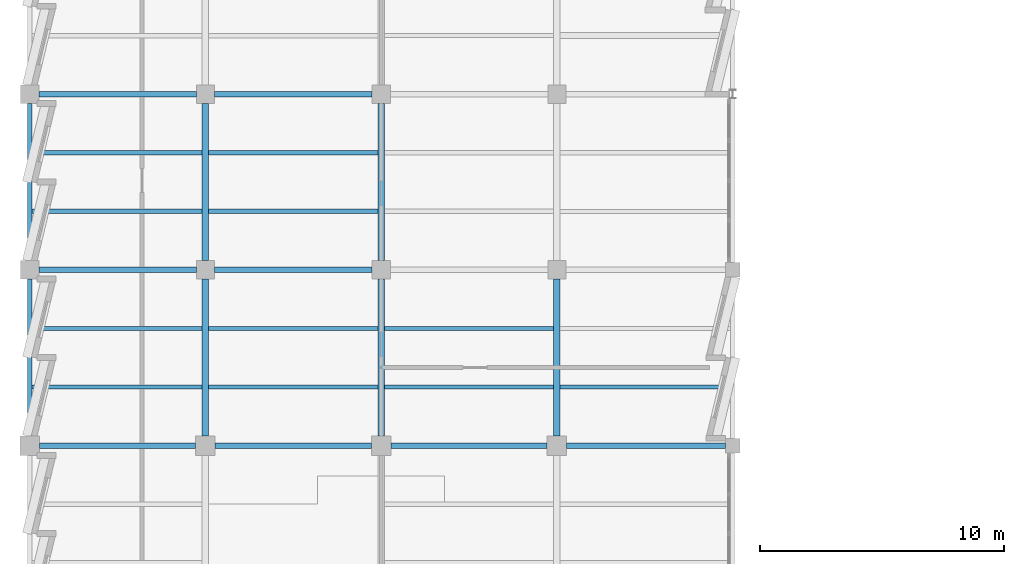
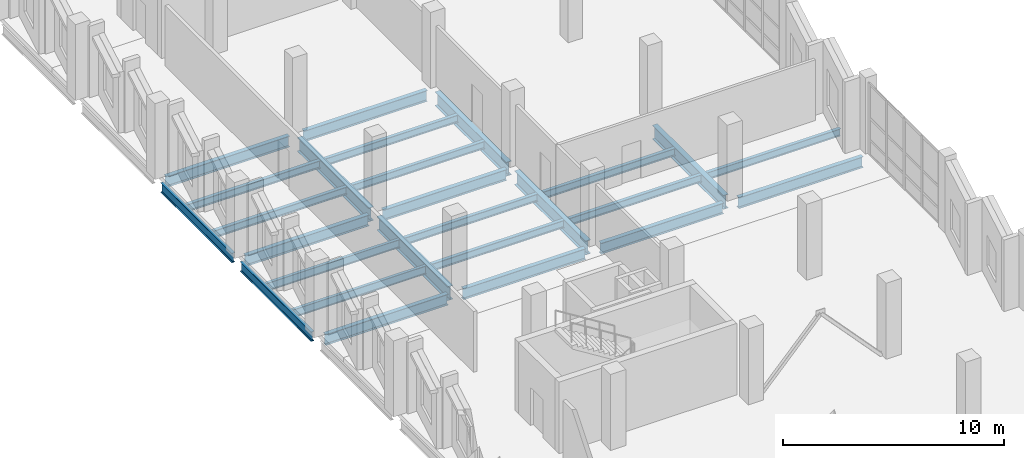
# One storey, part 35 of 94: 26 beams.
"""IFC4 building model written with IfcOpenShell, lengths in metres."""

from ifc_helpers import new_model, si_unit, direction, frame, origin, origin_2d, place, context, subcontext, project, spatial, i_section, extrude, material, material_profile, profile_set, type_object, element, save


model = new_model("IFC4")

# Units and contexts
model_context = context("Model", 3, precision=1e-05, world=origin(), true_north=direction((0.0, 1.0)))
body_context = subcontext(model_context, "Body", "Model", "MODEL_VIEW")
ifc_project = project(units=[si_unit("LENGTHUNIT", "METRE"), si_unit("AREAUNIT", "SQUARE_METRE"), si_unit("VOLUMEUNIT", "CUBIC_METRE"), si_unit("PLANEANGLEUNIT", "RADIAN"), si_unit("MASSUNIT", "GRAM", prefix="KILO")], contexts=[model_context])

# Site, building, storey
site_placement = place(None, origin())
site = spatial("IfcSite", under=ifc_project, at=site_placement, CompositionType="ELEMENT")
building_placement = place(site_placement, origin())
building = spatial("IfcBuilding", under=site, at=building_placement, Name="Kalmorath City Hall", CompositionType="ELEMENT")
storey_placement = place(building_placement, frame((0.0, 0.0, 14.699951171875)))
storey = spatial("IfcBuildingStorey", under=building, at=storey_placement, Name="L03", CompositionType="ELEMENT", Elevation=14.699951171875)

# Beams
ifc_material_1 = material(Name="Steel ASTM A992 Grade 50", Category="steel")
ifc_material_profile_1 = material_profile(ifc_material_1, i_section(OverallWidth=0.177001953125, OverallDepth=0.403076171875, WebThickness=0.007568359375, FlangeThickness=0.010986328125, FilletRadius=0.012939453125, at=origin_2d()), Name="W16X36")
ifc_profile_set_1 = profile_set([ifc_material_profile_1], Name="Steel ASTM A992 Grade 50")
beam_type_1 = type_object("IfcBeamType", Name="Steel composite joist W16X36", PredefinedType="JOIST", material=ifc_profile_set_1)
beam_1_placement = place(storey_placement, frame((21.73388671875, 67.199951171875, -0.46533203125), z_axis=(1.0, 0.0, 0.0), x_axis=(0.0, 1.0, 0.0)))
element("IfcBeam", 1, at=beam_1_placement, inside=storey, type_object=beam_type_1, Name="L03 joist SJ7 4.10.1", PredefinedType="JOIST", context=body_context, shape_type="SweptSolid", body=[
    extrude(i_section(OverallWidth=0.177001953125, OverallDepth=0.403076171875, WebThickness=0.007568359375, FlangeThickness=0.010986328125, FilletRadius=0.012939453125, at=origin_2d()), origin(), (0.0, 0.0, 1.0), 6.983642578125),
])
ifc_material_2 = material(Name="Steel ASTM A992 Grade 50", Category="steel")
ifc_material_profile_2 = material_profile(ifc_material_2, i_section(OverallWidth=0.178955078125, OverallDepth=0.409912109375, WebThickness=0.0087890625, FlangeThickness=0.014404296875, FilletRadius=0.012939453125, at=origin_2d()), Name="W16X45")
ifc_profile_set_2 = profile_set([ifc_material_profile_2], Name="Steel ASTM A992 Grade 50")
beam_type_2 = type_object("IfcBeamType", Name="Steel composite joist W16X45", PredefinedType="JOIST", material=ifc_profile_set_2)
for number, where, z_axis, x_axis, name in (
    (2, (7.333984375, 74.39990234375, -0.468994140625), (1.0, 0.0, 0.0), (0.0, 1.0, 0.0), "L03 joist SJ6 2.11.1"),
    (3, (7.333984375, 76.800048828125, -0.468994140625), (1.0, 0.0, 0.0), (0.0, 1.0, 0.0), "L03 joist SJ6 2.11.2"),
    (4, (14.533935546875, 67.199951171875, -0.468994140625), (1.0, 0.0, 0.0), (0.0, 1.0, 0.0), "L03 joist SJ6 3.10.1"),
    (5, (14.533935546875, 69.60009765625, -0.468994140625), (1.0, 0.0, 0.0), (0.0, 1.0, 0.0), "L03 joist SJ6 3.10.2"),
):
    element("IfcBeam", number, at=place(storey_placement, frame(where, z_axis=z_axis, x_axis=x_axis)), inside=storey, type_object=beam_type_2, Name=name, PredefinedType="JOIST", context=body_context, shape_type="SweptSolid", body=[
        extrude(i_section(OverallWidth=0.178955078125, OverallDepth=0.409912109375, WebThickness=0.0087890625, FlangeThickness=0.014404296875, FilletRadius=0.012939453125, at=origin_2d()), origin(), (0.0, 0.0, 1.0), 6.93212890625),
    ])
ifc_material_3 = material(Name="Steel ASTM A992 Grade 50", Category="steel")
ifc_material_profile_3 = material_profile(ifc_material_3, i_section(OverallWidth=0.180908203125, OverallDepth=0.4169921875, WebThickness=0.010986328125, FlangeThickness=0.018310546875, FilletRadius=0.012939453125, at=origin_2d()), Name="W16X57")
ifc_profile_set_3 = profile_set([ifc_material_profile_3], Name="Steel ASTM A992 Grade 50")
beam_type_3 = type_object("IfcBeamType", Name="Steel composite joist W16X57", PredefinedType="JOIST", material=ifc_profile_set_3)
for number, where, z_axis, x_axis, name in (
    (6, (0.08251953125, 74.39990234375, -0.472412109375), (1.0, 0.0, 0.0), (0.0, 1.0, 0.0), "L03 joist SJ5 1.11.1"),
    (7, (0.08251953125, 76.800048828125, -0.472412109375), (1.0, 0.0, 0.0), (0.0, 1.0, 0.0), "L03 joist SJ5 1.11.2"),
):
    element("IfcBeam", number, at=place(storey_placement, frame(where, z_axis=z_axis, x_axis=x_axis)), inside=storey, type_object=beam_type_3, Name=name, PredefinedType="JOIST", context=body_context, shape_type="SweptSolid", body=[
        extrude(i_section(OverallWidth=0.180908203125, OverallDepth=0.4169921875, WebThickness=0.010986328125, FlangeThickness=0.018310546875, FilletRadius=0.012939453125, at=origin_2d()), origin(), (0.0, 0.0, 1.0), 6.9833984375),
    ])
for number, where, z_axis, x_axis, name in (
    (8, (7.333984375, 67.199951171875, -0.472412109375), (1.0, 0.0, 0.0), (0.0, 1.0, 0.0), "L03 joist SJ5 2.10.1"),
    (9, (7.333984375, 69.60009765625, -0.472412109375), (1.0, 0.0, 0.0), (0.0, 1.0, 0.0), "L03 joist SJ5 2.10.2"),
):
    element("IfcBeam", number, at=place(storey_placement, frame(where, z_axis=z_axis, x_axis=x_axis)), inside=storey, type_object=beam_type_3, Name=name, PredefinedType="JOIST", context=body_context, shape_type="SweptSolid", body=[
        extrude(i_section(OverallWidth=0.180908203125, OverallDepth=0.4169921875, WebThickness=0.010986328125, FlangeThickness=0.018310546875, FilletRadius=0.012939453125, at=origin_2d()), origin(), (0.0, 0.0, 1.0), 6.93212890625),
    ])
ifc_material_4 = material(Name="Steel ASTM A992 Grade 50", Category="steel")
ifc_material_profile_4 = material_profile(ifc_material_4, i_section(OverallWidth=0.153076171875, OverallDepth=0.455078125, WebThickness=0.008056640625, FlangeThickness=0.01318359375, FilletRadius=0.013916015625, at=origin_2d()), Name="W18X40")
ifc_profile_set_4 = profile_set([ifc_material_profile_4], Name="Steel ASTM A992 Grade 50")
beam_type_4 = type_object("IfcBeamType", Name="Steel composite joist W18X40", PredefinedType="JOIST", material=ifc_profile_set_4)
for number, where, z_axis, x_axis, name in (
    (10, (0.08251953125, 67.199951171875, -0.491455078125), (1.0, 0.0, 0.0), (0.0, 1.0, 0.0), "L03 joist SJ4 1.10.1"),
    (11, (0.08251953125, 69.60009765625, -0.491455078125), (1.0, 0.0, 0.0), (0.0, 1.0, 0.0), "L03 joist SJ4 1.10.2"),
):
    element("IfcBeam", number, at=place(storey_placement, frame(where, z_axis=z_axis, x_axis=x_axis)), inside=storey, type_object=beam_type_4, Name=name, PredefinedType="JOIST", context=body_context, shape_type="SweptSolid", body=[
        extrude(i_section(OverallWidth=0.153076171875, OverallDepth=0.455078125, WebThickness=0.008056640625, FlangeThickness=0.01318359375, FilletRadius=0.013916015625, at=origin_2d()), origin(), (0.0, 0.0, 1.0), 6.9833984375),
    ])
ifc_material_5 = material(Name="Steel ASTM A992 Grade 50", Category="steel")
ifc_material_profile_5 = material_profile(ifc_material_5, i_section(OverallWidth=0.22802734375, OverallDepth=0.60302734375, WebThickness=0.010498046875, FlangeThickness=0.014892578125, FilletRadius=0.01611328125, at=origin_2d()), Name="W24X68")
ifc_profile_set_5 = profile_set([ifc_material_profile_5], Name="Steel ASTM A992 Grade 50")
beam_type_5 = type_object("IfcBeamType", Name="Steel floor girder W24X68", PredefinedType="BEAM", material=ifc_profile_set_5)
beam_2_placement = place(storey_placement, frame((0.39990234375, 64.800048828125, -0.5654296875), z_axis=(1.0, 0.0, 0.0), x_axis=(0.0, 1.0, 0.0)))
element("IfcBeam", 12, at=beam_2_placement, inside=storey, type_object=beam_type_5, Name="L03 girder SG9 X1-2/10", PredefinedType="BEAM", context=body_context, shape_type="SweptSolid", body=[
    extrude(i_section(OverallWidth=0.22802734375, OverallDepth=0.60302734375, WebThickness=0.010498046875, FlangeThickness=0.014892578125, FilletRadius=0.01611328125, at=origin_2d()), origin(), (0.0, 0.0, 1.0), 6.400146484375),
])
for number, where, z_axis, x_axis, name in (
    (13, (7.60009765625, 64.800048828125, -0.5654296875), (1.0, 0.0, 0.0), (0.0, 1.0, 0.0), "L03 girder SG9 X2-3/10"),
    (14, (14.800048828125, 64.800048828125, -0.5654296875), (1.0, 0.0, 0.0), (0.0, 1.0, 0.0), "L03 girder SG9 X3-4/10"),
):
    element("IfcBeam", number, at=place(storey_placement, frame(where, z_axis=z_axis, x_axis=x_axis)), inside=storey, type_object=beam_type_5, Name=name, PredefinedType="BEAM", context=body_context, shape_type="SweptSolid", body=[
        extrude(i_section(OverallWidth=0.22802734375, OverallDepth=0.60302734375, WebThickness=0.010498046875, FlangeThickness=0.014892578125, FilletRadius=0.01611328125, at=origin_2d()), origin(), (0.0, 0.0, 1.0), 6.39990234375),
    ])
beam_3_placement = place(storey_placement, frame((22.0, 64.800048828125, -0.5654296875), z_axis=(1.0, 0.0, 0.0), x_axis=(0.0, 1.0, 0.0)))
element("IfcBeam", 15, at=beam_3_placement, inside=storey, type_object=beam_type_5, Name="L03 girder SG9 X4-5/10", PredefinedType="BEAM", context=body_context, shape_type="SweptSolid", body=[
    extrude(i_section(OverallWidth=0.22802734375, OverallDepth=0.60302734375, WebThickness=0.010498046875, FlangeThickness=0.014892578125, FilletRadius=0.01611328125, at=origin_2d()), origin(), (0.0, 0.0, 1.0), 6.5),
])
for number, where, z_axis, x_axis, name in (
    (16, (0.375, 72.0, -0.5654296875), (1.0, 0.0, 0.0), (0.0, 1.0, 0.0), "L03 girder SG9 X1-2/11"),
    (17, (7.574951171875, 72.0, -0.5654296875), (1.0, 0.0, 0.0), (0.0, 1.0, 0.0), "L03 girder SG9 X2-3/11"),
    (18, (0.375, 79.199951171875, -0.5654296875), (1.0, 0.0, 0.0), (0.0, 1.0, 0.0), "L03 girder SG9 X1-2/12"),
    (19, (7.574951171875, 79.199951171875, -0.5654296875), (1.0, 0.0, 0.0), (0.0, 1.0, 0.0), "L03 girder SG9 X2-3/12"),
):
    element("IfcBeam", number, at=place(storey_placement, frame(where, z_axis=z_axis, x_axis=x_axis)), inside=storey, type_object=beam_type_5, Name=name, PredefinedType="BEAM", context=body_context, shape_type="SweptSolid", body=[
        extrude(i_section(OverallWidth=0.22802734375, OverallDepth=0.60302734375, WebThickness=0.010498046875, FlangeThickness=0.014892578125, FilletRadius=0.01611328125, at=origin_2d()), origin(), (0.0, 0.0, 1.0), 6.449951171875),
    ])
ifc_material_6 = material(Name="Steel ASTM A992 Grade 50", Category="steel")
ifc_material_profile_6 = material_profile(ifc_material_6, i_section(OverallWidth=0.26806640625, OverallDepth=0.77001953125, WebThickness=0.015625, FlangeThickness=0.025390625, FilletRadius=0.02001953125, at=origin_2d()), Name="W30X132")
ifc_profile_set_6 = profile_set([ifc_material_profile_6], Name="Steel ASTM A992 Grade 50")
beam_type_6 = type_object("IfcBeamType", Name="Steel primary girder W30X132", PredefinedType="BEAM", material=ifc_profile_set_6)
beam_4_placement = place(storey_placement, frame((7.199951171875, 65.199951171875, -0.64892578125), z_axis=(0.0, 1.0, 0.0), x_axis=(-1.0, 0.0, 0.0)))
element("IfcBeam", 20, at=beam_4_placement, inside=storey, type_object=beam_type_6, Name="L03 girder SG3 Y2/10-11", PredefinedType="BEAM", context=body_context, shape_type="SweptSolid", body=[
    extrude(i_section(OverallWidth=0.26806640625, OverallDepth=0.77001953125, WebThickness=0.015625, FlangeThickness=0.025390625, FilletRadius=0.02001953125, at=origin_2d()), origin(), (0.0, 0.0, 1.0), 6.425048828125),
])
beam_5_placement = place(storey_placement, frame((7.199951171875, 72.375, -0.64892578125), z_axis=(0.0, 1.0, 0.0), x_axis=(-1.0, 0.0, 0.0)))
element("IfcBeam", 21, at=beam_5_placement, inside=storey, type_object=beam_type_6, Name="L03 girder SG3 Y2/11-12", PredefinedType="BEAM", context=body_context, shape_type="SweptSolid", body=[
    extrude(i_section(OverallWidth=0.26806640625, OverallDepth=0.77001953125, WebThickness=0.015625, FlangeThickness=0.025390625, FilletRadius=0.02001953125, at=origin_2d()), origin(), (0.0, 0.0, 1.0), 6.449951171875),
])
beam_6_placement = place(storey_placement, frame((14.39990234375, 65.199951171875, -0.64892578125), z_axis=(0.0, 1.0, 0.0), x_axis=(-1.0, 0.0, 0.0)))
element("IfcBeam", 22, at=beam_6_placement, inside=storey, type_object=beam_type_6, Name="L03 girder SG3 Y3/10-11", PredefinedType="BEAM", context=body_context, shape_type="SweptSolid", body=[
    extrude(i_section(OverallWidth=0.26806640625, OverallDepth=0.77001953125, WebThickness=0.015625, FlangeThickness=0.025390625, FilletRadius=0.02001953125, at=origin_2d()), origin(), (0.0, 0.0, 1.0), 6.425048828125),
])
beam_7_placement = place(storey_placement, frame((14.39990234375, 72.375, -0.64892578125), z_axis=(0.0, 1.0, 0.0), x_axis=(-1.0, 0.0, 0.0)))
element("IfcBeam", 23, at=beam_7_placement, inside=storey, type_object=beam_type_6, Name="L03 girder SG3 Y3/11-12", PredefinedType="BEAM", context=body_context, shape_type="SweptSolid", body=[
    extrude(i_section(OverallWidth=0.26806640625, OverallDepth=0.77001953125, WebThickness=0.015625, FlangeThickness=0.025390625, FilletRadius=0.02001953125, at=origin_2d()), origin(), (0.0, 0.0, 1.0), 6.449951171875),
])
beam_8_placement = place(storey_placement, frame((21.60009765625, 65.199951171875, -0.64892578125), z_axis=(0.0, 1.0, 0.0), x_axis=(-1.0, 0.0, 0.0)))
element("IfcBeam", 24, at=beam_8_placement, inside=storey, type_object=beam_type_6, Name="L03 girder SG3 Y4/10-11", PredefinedType="BEAM", context=body_context, shape_type="SweptSolid", body=[
    extrude(i_section(OverallWidth=0.26806640625, OverallDepth=0.77001953125, WebThickness=0.015625, FlangeThickness=0.025390625, FilletRadius=0.02001953125, at=origin_2d()), origin(), (0.0, 0.0, 1.0), 6.425048828125),
])
ifc_material_7 = material(Name="Steel ASTM A992 Grade 50", Category="steel")
ifc_material_profile_7 = material_profile(ifc_material_7, i_section(OverallWidth=0.1650390625, OverallDepth=0.52490234375, WebThickness=0.0087890625, FlangeThickness=0.011474609375, FilletRadius=0.014892578125, at=origin_2d()), Name="W21X44")
ifc_profile_set_7 = profile_set([ifc_material_profile_7], Name="Steel ASTM A992 Grade 50")
beam_type_7 = type_object("IfcBeamType", Name="Steel spandrel beam W21X44", PredefinedType="SPANDREL", material=ifc_profile_set_7)
beam_9_placement = place(storey_placement, frame((0.0, 65.199951171875, -0.5263671875), z_axis=(0.0, 1.0, 0.0), x_axis=(-1.0, 0.0, 0.0)))
element("IfcBeam", 25, at=beam_9_placement, inside=storey, type_object=beam_type_7, Name="L03 girder SB4 Y1/10-11", PredefinedType="SPANDREL", context=body_context, shape_type="SweptSolid", body=[
    extrude(i_section(OverallWidth=0.1650390625, OverallDepth=0.52490234375, WebThickness=0.0087890625, FlangeThickness=0.011474609375, FilletRadius=0.014892578125, at=origin_2d()), origin(), (0.0, 0.0, 1.0), 6.425048828125),
])
beam_10_placement = place(storey_placement, frame((0.0, 72.375, -0.5263671875), z_axis=(0.0, 1.0, 0.0), x_axis=(-1.0, 0.0, 0.0)))
element("IfcBeam", 26, at=beam_10_placement, inside=storey, type_object=beam_type_7, Name="L03 girder SB4 Y1/11-12", PredefinedType="SPANDREL", context=body_context, shape_type="SweptSolid", body=[
    extrude(i_section(OverallWidth=0.1650390625, OverallDepth=0.52490234375, WebThickness=0.0087890625, FlangeThickness=0.011474609375, FilletRadius=0.014892578125, at=origin_2d()), origin(), (0.0, 0.0, 1.0), 6.449951171875),
])

save(model, "model.ifc")
